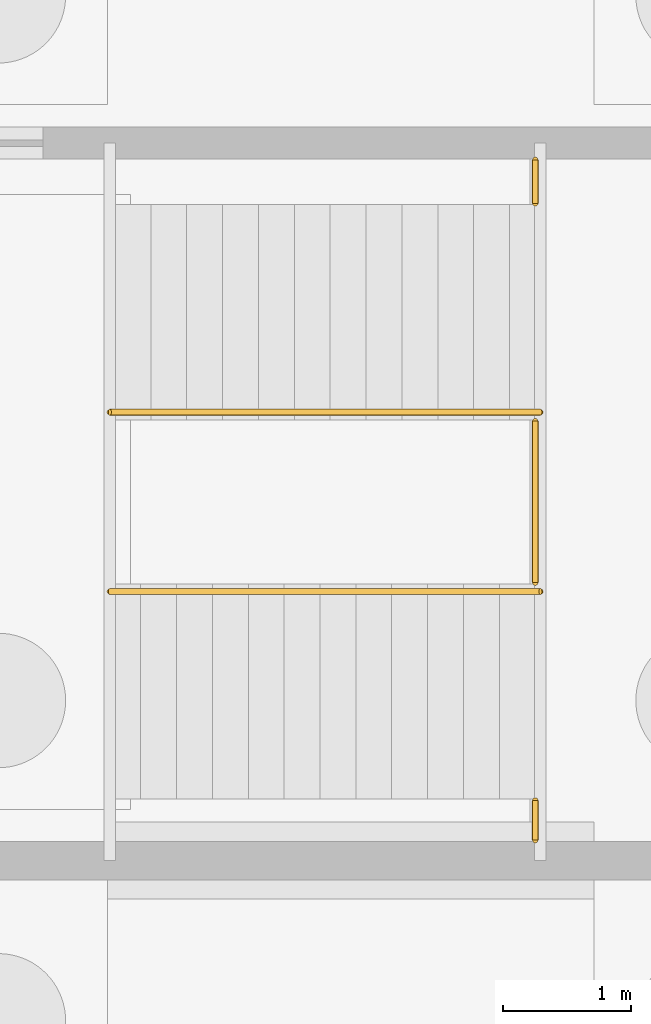
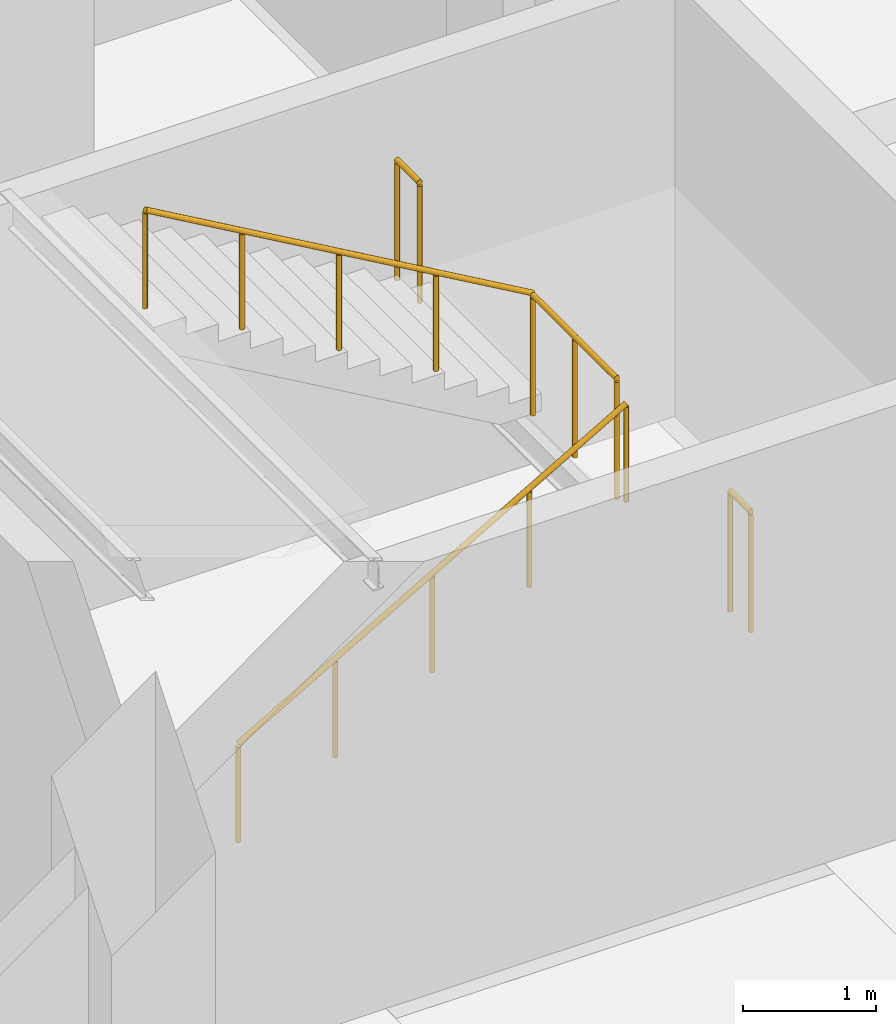
# One storey, part 30 of 32: 5 railings, 1 element without a shape of its own.
"""IFC4 building model written with IfcOpenShell, lengths in metres."""

from ifc_helpers import new_model, si_unit, direction, frame, origin, origin_2d, place, context, subcontext, project, spatial, circle, extrude, material, layer, layer_set, type_object, element, aggregate, save


model = new_model("IFC4")

# Units and contexts
model_context = context("Model", 3, precision=1e-05, world=origin(), true_north=direction((0.0, 1.0)))
body_context = subcontext(model_context, "Body", "Model", "MODEL_VIEW")
ifc_project = project(units=[si_unit("LENGTHUNIT", "METRE"), si_unit("AREAUNIT", "SQUARE_METRE"), si_unit("VOLUMEUNIT", "CUBIC_METRE"), si_unit("PLANEANGLEUNIT", "RADIAN"), si_unit("MASSUNIT", "GRAM", prefix="KILO")], contexts=[model_context])

# Site, building, storey
site_placement = place(None, origin())
site = spatial("IfcSite", under=ifc_project, at=site_placement, CompositionType="ELEMENT")
building_placement = place(site_placement, origin())
building = spatial("IfcBuilding", under=site, at=building_placement, Name="Tenunan Teduh Sports Hall", CompositionType="ELEMENT")
storey_placement = place(building_placement, frame((0.0, 0.0, -4.199951171875)))
storey = spatial("IfcBuildingStorey", under=building, at=storey_placement, Name="B1", CompositionType="ELEMENT", Elevation=-4.199951171875)

# Railings
ifc_material_1 = material(Name="Galvanised and powder-coated steel", Category="steel")
ifc_layer_1 = layer(ifc_material_1, 0.070068359375)
ifc_layer_set_1 = layer_set([ifc_layer_1], Name="Galvanised and powder-coated steel")
railing_type_1 = type_object("IfcRailingType", Name="RLG-EXT-GRD", PredefinedType="GUARDRAIL", material=ifc_layer_set_1)
railing_1_placement = place(storey_placement, frame((59.43994140625, 96.169921875, 2.099853515625)))
element("IfcRailing", 1, at=railing_1_placement, inside=storey, type_object=railing_type_1, Name="RLG-STW-MID-W3-B1", PredefinedType="GUARDRAIL", context=body_context, shape_type="SweptSolid", body=[
    extrude(circle(Radius=0.02392578125, at=origin_2d()), frame((0.0, 0.0, 1.09619140625), z_axis=(0.0, 1.0, 0.0), x_axis=(-1.0, 0.0, 0.0)), (0.0, 0.0, 1.0), 1.260009765625),
    extrude(circle(Radius=0.02099609375, at=origin_2d()), origin(), (0.0, 0.0, 1.0), 1.072021484375),
    extrude(circle(Radius=0.02099609375, at=origin_2d()), frame((0.0, 0.6298828125, 0.0)), (0.0, 0.0, 1.0), 1.072021484375),
    extrude(circle(Radius=0.02099609375, at=origin_2d()), frame((0.0, 1.260009765625, 0.0)), (0.0, 0.0, 1.0), 1.072021484375),
])
railing_2_placement = place(storey_placement, frame((59.43994140625, 94.159912109375, 2.099853515625)))
element("IfcRailing", 2, at=railing_2_placement, inside=storey, type_object=railing_type_1, Name="RLG-STW-MIDS-W3-B1", PredefinedType="GUARDRAIL", context=body_context, shape_type="SweptSolid", body=[
    extrude(circle(Radius=0.02392578125, at=origin_2d()), frame((0.0, 0.0, 1.09619140625), z_axis=(0.0, 1.0, 0.0), x_axis=(-1.0, 0.0, 0.0)), (0.0, 0.0, 1.0), 0.31005859375),
    extrude(circle(Radius=0.02099609375, at=origin_2d()), origin(), (0.0, 0.0, 1.0), 1.072021484375),
    extrude(circle(Radius=0.02099609375, at=origin_2d()), frame((0.0, 0.31005859375, 0.0)), (0.0, 0.0, 1.0), 1.072021484375),
])
railing_3_placement = place(storey_placement, frame((59.43994140625, 99.1298828125, 2.099853515625)))
element("IfcRailing", 3, at=railing_3_placement, inside=storey, type_object=railing_type_1, Name="RLG-STW-MIDN-W3-B1", PredefinedType="GUARDRAIL", context=body_context, shape_type="SweptSolid", body=[
    extrude(circle(Radius=0.02392578125, at=origin_2d()), frame((0.0, 0.0, 1.09619140625), z_axis=(0.0, 1.0, 0.0), x_axis=(-1.0, 0.0, 0.0)), (0.0, 0.0, 1.0), 0.340087890625),
    extrude(circle(Radius=0.02099609375, at=origin_2d()), origin(), (0.0, 0.0, 1.0), 1.072021484375),
    extrude(circle(Radius=0.02099609375, at=origin_2d()), frame((0.0, 0.340087890625, 0.0)), (0.0, 0.0, 1.0), 1.072021484375),
])

# Stair, railings
ifc_material_2 = material(Name="Precast concrete C40/50", Category="concrete")
stair_type = type_object("IfcStairType", Name="STR-B1-ESC", PredefinedType="HALF_TURN_STAIR", material=ifc_material_2)
stair_placement = place(storey_placement, origin())
stair = element("IfcStair", 4, at=stair_placement, inside=storey, type_object=stair_type, Name="STR-W3-B1", PredefinedType="HALF_TURN_STAIR")
ifc_material_3 = material(Name="Brushed stainless steel", Category="steel")
ifc_layer_2 = layer(ifc_material_3, 0.050048828125)
ifc_layer_set_2 = layer_set([ifc_layer_2], Name="Brushed stainless steel")
railing_type_2 = type_object("IfcRailingType", Name="RLG-STAIR-HR", PredefinedType="HANDRAIL", material=ifc_layer_set_2)
railing_4_placement = place(storey_placement, frame((56.1201171875, 96.10009765625, 0.161376953125)))
railing_4 = element("IfcRailing", 5, at=railing_4_placement, type_object=railing_type_2, Name="STR-W3-B1-HR1", PredefinedType="HANDRAIL", context=body_context, shape_type="SweptSolid", body=[
    extrude(circle(Radius=0.02392578125, at=origin_2d()), frame((0.0, 0.0, 0.89599609375), z_axis=(0.866175107563, 0.0, 0.499740615757), x_axis=(0.0, 1.0, 0.0)), (0.0, 0.0, 1.0), 3.87890625),
    extrude(circle(Radius=0.02099609375, at=origin_2d()), origin(), (0.0, 0.0, 1.0), 0.871826171875),
    extrude(circle(Radius=0.02099609375, at=origin_2d()), frame((0.83984375, 0.0, 0.484619140625)), (0.0, 0.0, 1.0), 0.871826171875),
    extrude(circle(Radius=0.02099609375, at=origin_2d()), frame((1.679931640625, 0.0, 0.96923828125)), (0.0, 0.0, 1.0), 0.871826171875),
    extrude(circle(Radius=0.02099609375, at=origin_2d()), frame((2.52001953125, 0.0, 1.453857421875)), (0.0, 0.0, 1.0), 0.871826171875),
    extrude(circle(Radius=0.02099609375, at=origin_2d()), frame((3.35986328125, 0.0, 1.9384765625)), (0.0, 0.0, 1.0), 0.871826171875),
])
railing_5_placement = place(storey_placement, frame((59.47998046875, 97.5, 2.261474609375)))
railing_5 = element("IfcRailing", 6, at=railing_5_placement, type_object=railing_type_2, Name="STR-W3-B1-HR2", PredefinedType="HANDRAIL", context=body_context, shape_type="SweptSolid", body=[
    extrude(circle(Radius=0.02392578125, at=origin_2d()), frame((0.0, 0.0, 0.89599609375), z_axis=(-0.866175107563, 0.0, 0.499740615757), x_axis=(0.0, -1.0, 0.0)), (0.0, 0.0, 1.0), 3.87890625),
    extrude(circle(Radius=0.02099609375, at=origin_2d()), origin(), (0.0, 0.0, 1.0), 0.871826171875),
    extrude(circle(Radius=0.02099609375, at=origin_2d()), frame((-0.83984375, 0.0, 0.484619140625)), (0.0, 0.0, 1.0), 0.871826171875),
    extrude(circle(Radius=0.02099609375, at=origin_2d()), frame((-1.679931640625, 0.0, 0.96923828125)), (0.0, 0.0, 1.0), 0.871826171875),
    extrude(circle(Radius=0.02099609375, at=origin_2d()), frame((-2.52001953125, 0.0, 1.453857421875)), (0.0, 0.0, 1.0), 0.871826171875),
    extrude(circle(Radius=0.02099609375, at=origin_2d()), frame((-3.35986328125, 0.0, 1.9384765625)), (0.0, 0.0, 1.0), 0.871826171875),
])
aggregate(stair, [railing_4, railing_5])

save(model, "model.ifc")
